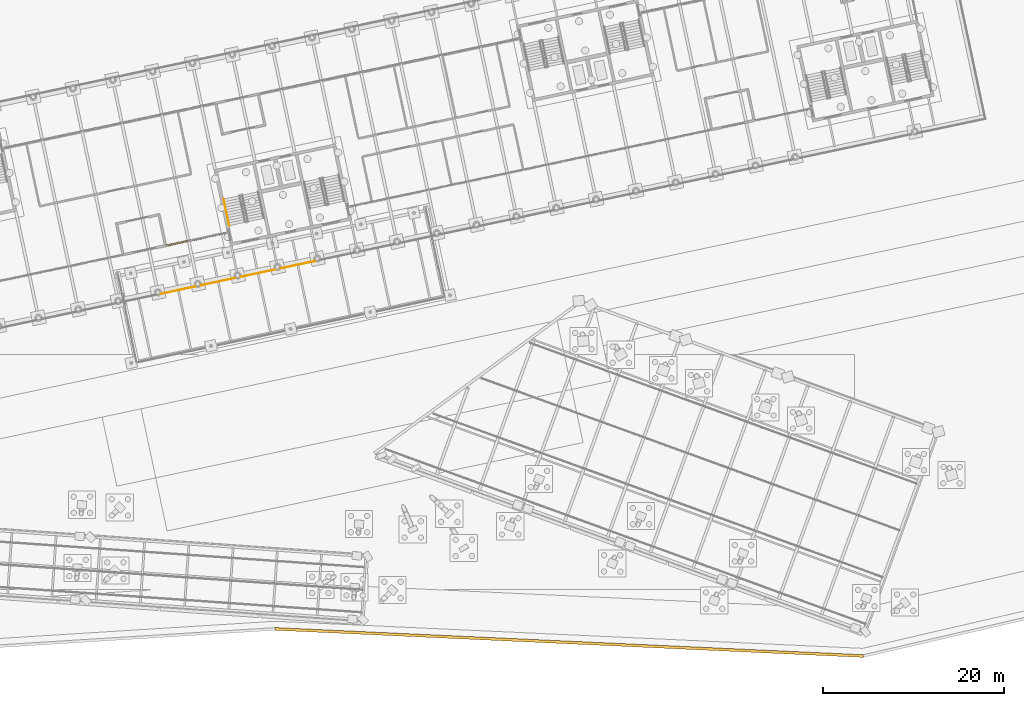
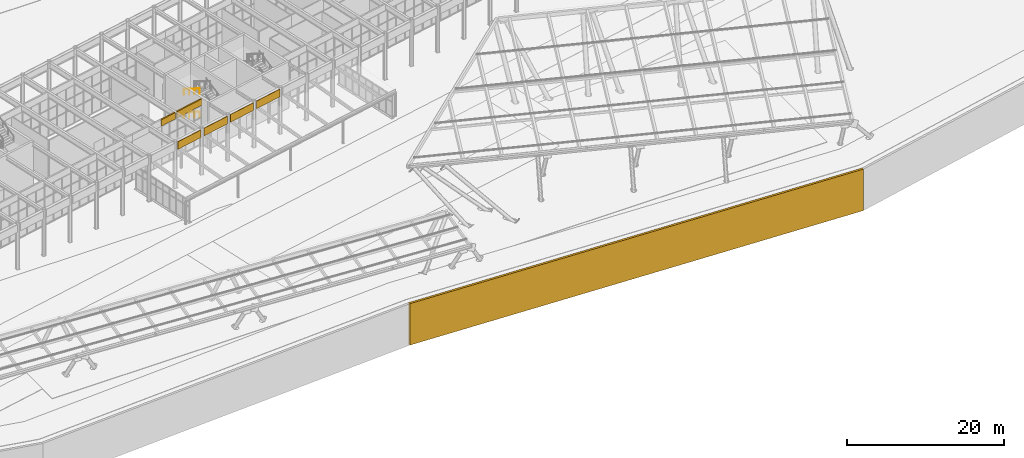
# One storey, part 212 of 239: 7 coverings, 2 railings.
"""IFC4 building model written with IfcOpenShell, lengths in metres."""

from ifc_helpers import new_model, si_unit, direction, frame, origin, origin_2d, place, context, subcontext, project, spatial, polyline, rectangle, circle, outline, extrude, material, layer, layer_set, type_object, element, save


model = new_model("IFC4")

# Units and contexts
model_context = context("Model", 3, precision=1e-05, world=origin(), true_north=direction((0.0, 1.0)))
body_context = subcontext(model_context, "Body", "Model", "MODEL_VIEW")
ifc_project = project(units=[si_unit("LENGTHUNIT", "METRE"), si_unit("AREAUNIT", "SQUARE_METRE"), si_unit("VOLUMEUNIT", "CUBIC_METRE"), si_unit("PLANEANGLEUNIT", "RADIAN"), si_unit("MASSUNIT", "GRAM", prefix="KILO")], contexts=[model_context])

# Site, building, storey
site_placement = place(None, origin())
site = spatial("IfcSite", under=ifc_project, at=site_placement, CompositionType="ELEMENT")
building_placement = place(site_placement, origin())
building = spatial("IfcBuilding", under=site, at=building_placement, Name="Okhra Congress Centre", CompositionType="ELEMENT")
storey_placement = place(building_placement, origin())
storey = spatial("IfcBuildingStorey", under=building, at=storey_placement, Name="L00", CompositionType="ELEMENT", Elevation=0.0)

# Coverings
ifc_material_1 = material(Name="Dark bronze anodised aluminium fascia panel", Category="aluminium")
ifc_layer_1 = layer(ifc_material_1, 0.06005859375)
ifc_layer_set_1 = layer_set([ifc_layer_1], Name="Dark bronze fascia strip 60")
covering_type_1 = type_object("IfcCoveringType", Name="Dark bronze fascia strip 60", PredefinedType="CLADDING", material=ifc_layer_set_1)
for number, where, z_axis, x_axis, name in (
    (1, (129.28466796875, 41.086181640625, 5.85009765625), (0.0, 0.0, 1.0), (0.978147600734, 0.207911690818, 0.0), "Girder fascia strip"),
    (2, (133.686279296875, 42.021728515625, 5.85009765625), (0.0, 0.0, 1.0), (0.978147600734, 0.207911690818, 0.0), "Girder fascia strip"),
    (3, (138.087890625, 42.957275390625, 5.85009765625), (0.0, 0.0, 1.0), (0.978147600734, 0.207911690818, 0.0), "Girder fascia strip"),
    (4, (142.489501953125, 43.892822265625, 5.85009765625), (0.0, 0.0, 1.0), (0.978147600734, 0.207911690818, 0.0), "Girder fascia strip"),
):
    element("IfcCovering", number, at=place(storey_placement, frame(where, z_axis=z_axis, x_axis=x_axis)), inside=storey, type_object=covering_type_1, Name=name, PredefinedType="CLADDING", context=body_context, shape_type="SweptSolid", body=[
        extrude(rectangle(XDim=3.991943359375, YDim=0.06005859375, at=origin_2d()), origin(), (0.0, 0.0, 1.0), 1.199951171875),
    ])
ifc_material_2 = material(Name="Insulated metal sandwich panel (mineral wool core)")
ifc_layer_2 = layer(ifc_material_2, 0.199951171875)
ifc_layer_set_2 = layer_set([ifc_layer_2], Name="Insulated fascia cladding panel 200")
covering_type_2 = type_object("IfcCoveringType", Name="Insulated fascia cladding panel 200", PredefinedType="CLADDING", material=ifc_layer_set_2)
covering_1_placement = place(storey_placement, frame((129.1279296875, 46.27197265625, 6.050048828125), z_axis=(0.0, 0.0, 1.0), x_axis=(0.978147600734, 0.207911690818, 0.0)))
element("IfcCovering", 5, at=covering_1_placement, inside=storey, type_object=covering_type_2, Name="Fascia over glazing", PredefinedType="CLADDING", context=body_context, shape_type="SweptSolid", body=[
    extrude(rectangle(XDim=2.35009765625, YDim=0.199951171875, at=origin_2d()), origin(), (0.0, 0.0, 1.0), 1.0),
])
covering_2_placement = place(storey_placement, frame((132.6494140625, 47.020263671875, 6.050048828125), z_axis=(0.0, 0.0, 1.0), x_axis=(0.978147600734, 0.207911690818, 0.0)))
element("IfcCovering", 6, at=covering_2_placement, inside=storey, type_object=covering_type_2, Name="Fascia over glazing", PredefinedType="CLADDING", context=body_context, shape_type="SweptSolid", body=[
    extrude(rectangle(XDim=4.25, YDim=0.199951171875, at=origin_2d()), origin(), (0.0, 0.0, 1.0), 1.0),
])
ifc_material_3 = material(Name="Compacted engineered fill face with geotextile and turf")
ifc_layer_3 = layer(ifc_material_3, 0.300048828125)
ifc_layer_set_3 = layer_set([ifc_layer_3], Name="Site ground edge (engineered fill face)")
covering_type_3 = type_object("IfcCoveringType", Name="Site ground edge (engineered fill face)", PredefinedType="USERDEFINED", material=ifc_layer_set_3)
covering_3_placement = place(storey_placement, frame((0.0, 0.0, -6.5)))
element("IfcCovering", 7, at=covering_3_placement, inside=storey, type_object=covering_type_3, Name="Site ground edge (engineered fill face) 4", ObjectType="Site ground edge (engineered fill face)", PredefinedType="USERDEFINED", context=body_context, shape_type="SweptSolid", body=[
    extrude(outline(polyline([(140.0, 3.5), (205.0, 0.5), (204.97265625, 0.801513671875), (139.99755859375, 3.80029296875), (140.0, 3.5)])), origin(), (0.0, 0.0, 1.0), 6.449951171875),
])

# Railings
ifc_material_4 = material(Name="Painted steel tube handrail on wall brackets", Category="steel")
railing_type = type_object("IfcRailingType", Name="Steel handrail 900", PredefinedType="HANDRAIL", material=ifc_material_4)
railing_1_placement = place(storey_placement, frame((134.301025390625, 51.154052734375, 1.963623046875)))
element("IfcRailing", 8, at=railing_1_placement, inside=storey, type_object=railing_type, Name="L00 BS3A stair handrail 2", PredefinedType="HANDRAIL", context=body_context, shape_type="SweptSolid", body=[
    extrude(circle(Radius=0.02392578125, at=origin_2d()), frame((0.0, 0.0, 0.8759765625), z_axis=(0.182539774255, -0.858687102456, 0.478890061383), x_axis=(0.978142921837, 0.207933702079, 0.0)), (0.0, 0.0, 1.0), 3.417236328125),
    extrude(circle(Radius=0.02099609375, at=origin_2d()), origin(), (0.0, 0.0, 1.0), 0.851806640625),
    extrude(circle(Radius=0.02099609375, at=origin_2d()), frame((0.2080078125, -0.97802734375, 0.54541015625)), (0.0, 0.0, 1.0), 0.851806640625),
    extrude(circle(Radius=0.02099609375, at=origin_2d()), frame((0.415771484375, -1.956298828125, 1.091064453125)), (0.0, 0.0, 1.0), 0.851806640625),
    extrude(circle(Radius=0.02099609375, at=origin_2d()), frame((0.623779296875, -2.934326171875, 1.636474609375)), (0.0, 0.0, 1.0), 0.851806640625),
])
railing_2_placement = place(storey_placement, frame((134.301025390625, 51.154052734375, 5.563720703125)))
element("IfcRailing", 9, at=railing_2_placement, inside=storey, type_object=railing_type, Name="L00 BS3A stair handrail 4", PredefinedType="HANDRAIL", context=body_context, shape_type="SweptSolid", body=[
    extrude(circle(Radius=0.02392578125, at=origin_2d()), frame((0.0, 0.0, 0.8759765625), z_axis=(0.182546019505, -0.858716480796, 0.478834999109), x_axis=(0.978142921837, 0.207933702079, 0.0)), (0.0, 0.0, 1.0), 3.4169921875),
    extrude(circle(Radius=0.02099609375, at=origin_2d()), origin(), (0.0, 0.0, 1.0), 0.851806640625),
    extrude(circle(Radius=0.02099609375, at=origin_2d()), frame((0.2080078125, -0.97802734375, 0.54541015625)), (0.0, 0.0, 1.0), 0.851806640625),
    extrude(circle(Radius=0.02099609375, at=origin_2d()), frame((0.415771484375, -1.956298828125, 1.0908203125)), (0.0, 0.0, 1.0), 0.851806640625),
    extrude(circle(Radius=0.02099609375, at=origin_2d()), frame((0.623779296875, -2.934326171875, 1.63623046875)), (0.0, 0.0, 1.0), 0.851806640625),
])

save(model, "model.ifc")
